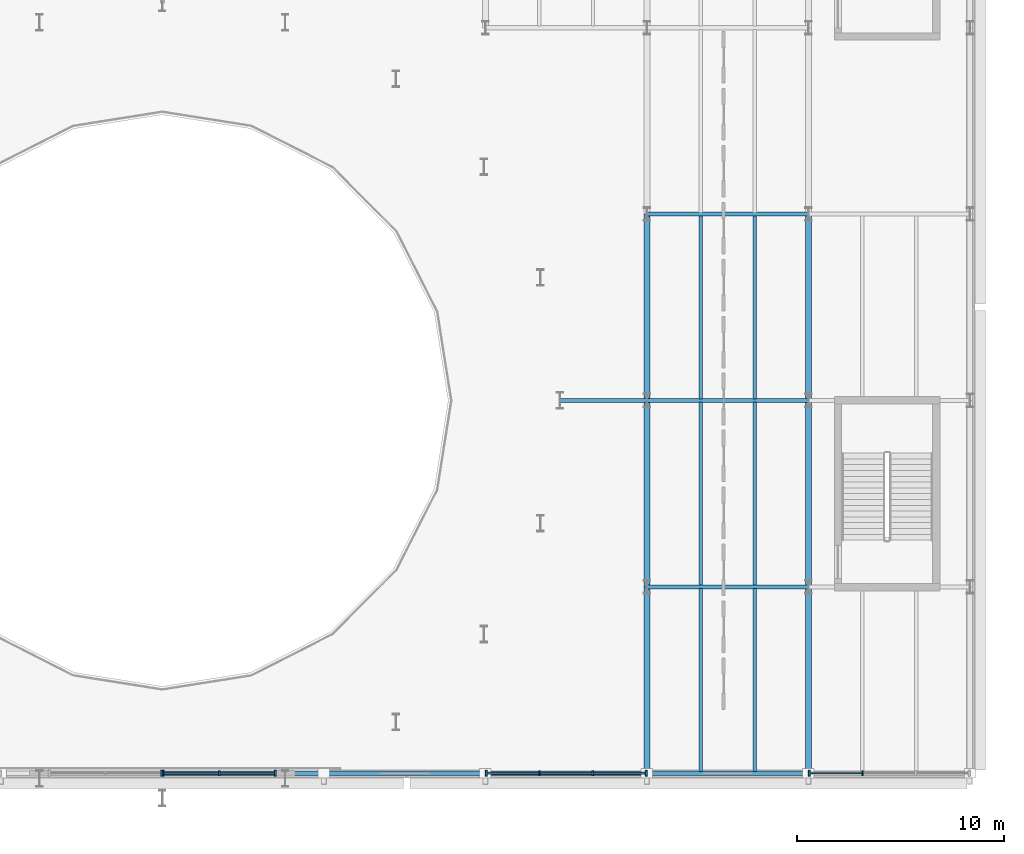
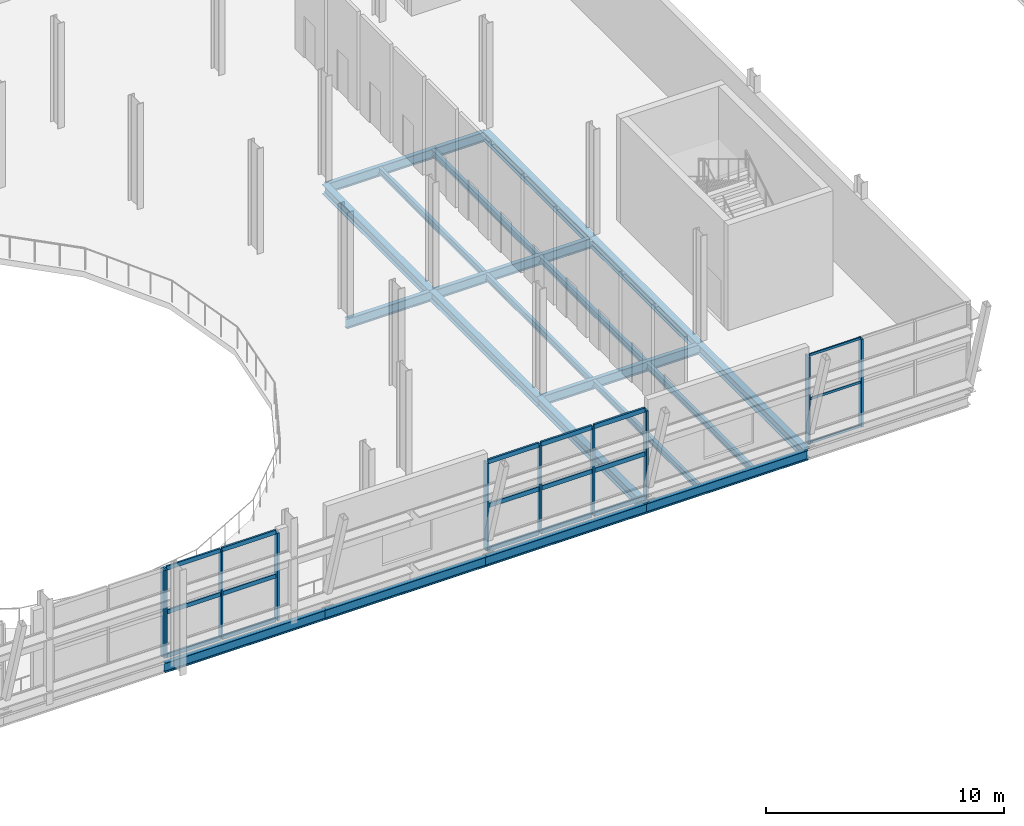
# One storey, part 20 of 78: 28 members, 20 beams, 4 elements without a shape of their own.
"""IFC4 building model written with IfcOpenShell, lengths in metres."""

from ifc_helpers import new_model, si_unit, direction, frame, origin, origin_2d, place, context, subcontext, project, spatial, rectangle, i_section, extrude, material, layer, layer_set, material_profile, profile_set, type_object, element, aggregate, save


model = new_model("IFC4")

# Units and contexts
model_context = context("Model", 3, precision=1e-05, world=origin(), true_north=direction((0.0, 1.0)))
body_context = subcontext(model_context, "Body", "Model", "MODEL_VIEW")
ifc_project = project(units=[si_unit("LENGTHUNIT", "METRE"), si_unit("AREAUNIT", "SQUARE_METRE"), si_unit("VOLUMEUNIT", "CUBIC_METRE"), si_unit("PLANEANGLEUNIT", "RADIAN"), si_unit("MASSUNIT", "GRAM", prefix="KILO")], contexts=[model_context])

# Site, building, storey
site_placement = place(None, origin())
site = spatial("IfcSite", under=ifc_project, at=site_placement, CompositionType="ELEMENT")
building_placement = place(site_placement, origin())
building = spatial("IfcBuilding", under=site, at=building_placement, Name="Sefraquen Railside Congress Hotel", CompositionType="ELEMENT")
storey_placement = place(building_placement, frame((0.0, 0.0, 6.0)))
storey = spatial("IfcBuildingStorey", under=building, at=storey_placement, Name="L01", CompositionType="ELEMENT", Elevation=6.0)

# Beams
ifc_material_1 = material(Name="Steel S355JR", Category="steel")
ifc_material_profile_1 = material_profile(ifc_material_1, i_section(OverallWidth=0.199951171875, OverallDepth=0.5, WebThickness=0.01025390625, FlangeThickness=0.01611328125, FilletRadius=0.02099609375, at=origin_2d()), Name="IPE 500")
ifc_profile_set_1 = profile_set([ifc_material_profile_1], Name="Steel S355JR")
beam_type_1 = type_object("IfcBeamType", Name="TB-BM-500", PredefinedType="BEAM", material=ifc_profile_set_1)
for number, where, z_axis, x_axis, name in (
    (1, (64.199951171875, 9.0, -0.550048828125), (1.0, 0.0, 0.0), (0.0, 1.0, 0.0), "Primary girder BM-L01-0344"),
    (2, (72.0, 9.0, -0.550048828125), (1.0, 0.0, 0.0), (0.0, 1.0, 0.0), "Primary girder BM-L01-0345"),
    (3, (79.800048828125, 9.0, -0.550048828125), (1.0, 0.0, 0.0), (0.0, 1.0, 0.0), "Primary girder BM-L01-0346"),
):
    element("IfcBeam", number, at=place(storey_placement, frame(where, z_axis=z_axis, x_axis=x_axis)), inside=storey, type_object=beam_type_1, Name=name, PredefinedType="BEAM", context=body_context, shape_type="SweptSolid", body=[
        extrude(i_section(OverallWidth=0.199951171875, OverallDepth=0.5, WebThickness=0.01025390625, FlangeThickness=0.01611328125, FilletRadius=0.02099609375, at=origin_2d()), origin(), (0.0, 0.0, 1.0), 7.800048828125),
    ])
for number, where, z_axis, x_axis, name in (
    (4, (87.60009765625, 9.0, -0.550048828125), (1.0, 0.0, 0.0), (0.0, 1.0, 0.0), "Primary girder BM-L01-0347"),
    (5, (87.60009765625, 18.0, -0.550048828125), (1.0, 0.0, 0.0), (0.0, 1.0, 0.0), "Primary girder BM-L01-0357"),
):
    element("IfcBeam", number, at=place(storey_placement, frame(where, z_axis=z_axis, x_axis=x_axis)), inside=storey, type_object=beam_type_1, Name=name, PredefinedType="BEAM", context=body_context, shape_type="SweptSolid", body=[
        extrude(i_section(OverallWidth=0.199951171875, OverallDepth=0.5, WebThickness=0.01025390625, FlangeThickness=0.01611328125, FilletRadius=0.02099609375, at=origin_2d()), origin(), (0.0, 0.0, 1.0), 7.7998046875),
    ])
beam_placement = place(storey_placement, frame((83.39990234375, 27.0, -0.550048828125), z_axis=(1.0, 0.0, 0.0), x_axis=(0.0, 1.0, 0.0)))
element("IfcBeam", 6, at=beam_placement, inside=storey, type_object=beam_type_1, Name="Primary girder BM-L01-0368", PredefinedType="BEAM", context=body_context, shape_type="SweptSolid", body=[
    extrude(i_section(OverallWidth=0.199951171875, OverallDepth=0.5, WebThickness=0.01025390625, FlangeThickness=0.01611328125, FilletRadius=0.02099609375, at=origin_2d()), origin(), (0.0, 0.0, 1.0), 4.2001953125),
])
for number, where, z_axis, x_axis, name in (
    (7, (87.60009765625, 27.0, -0.550048828125), (1.0, 0.0, 0.0), (0.0, 1.0, 0.0), "Primary girder BM-L01-0369"),
    (8, (87.60009765625, 36.0, -0.550048828125), (1.0, 0.0, 0.0), (0.0, 1.0, 0.0), "Primary girder BM-L01-0374"),
):
    element("IfcBeam", number, at=place(storey_placement, frame(where, z_axis=z_axis, x_axis=x_axis)), inside=storey, type_object=beam_type_1, Name=name, PredefinedType="BEAM", context=body_context, shape_type="SweptSolid", body=[
        extrude(i_section(OverallWidth=0.199951171875, OverallDepth=0.5, WebThickness=0.01025390625, FlangeThickness=0.01611328125, FilletRadius=0.02099609375, at=origin_2d()), origin(), (0.0, 0.0, 1.0), 7.7998046875),
    ])
ifc_material_profile_2 = material_profile(ifc_material_1, i_section(OverallWidth=0.300048828125, OverallDepth=0.489990234375, WebThickness=0.011962890625, FlangeThickness=0.02294921875, FilletRadius=0.027099609375, at=origin_2d()), Name="HEA 500")
ifc_profile_set_2 = profile_set([ifc_material_profile_2], Name="Steel S355JR")
beam_type_2 = type_object("IfcBeamType", Name="TB-GIR-500", PredefinedType="T_BEAM", material=ifc_profile_set_2)
for number, where, z_axis, x_axis, name in (
    (9, (87.60009765625, 9.0, -0.544921875), (0.0, 1.0, 0.0), (-1.0, 0.0, 0.0), "Floor beam BM-L01-0586"),
    (10, (87.60009765625, 18.0, -0.544921875), (0.0, 1.0, 0.0), (-1.0, 0.0, 0.0), "Floor beam BM-L01-0587"),
    (11, (87.60009765625, 27.0, -0.544921875), (0.0, 1.0, 0.0), (-1.0, 0.0, 0.0), "Floor beam BM-L01-0588"),
    (12, (95.39990234375, 9.0, -0.544921875), (0.0, 1.0, 0.0), (-1.0, 0.0, 0.0), "Floor beam BM-L01-0595"),
    (13, (95.39990234375, 18.0, -0.544921875), (0.0, 1.0, 0.0), (-1.0, 0.0, 0.0), "Floor beam BM-L01-0596"),
    (14, (95.39990234375, 27.0, -0.544921875), (0.0, 1.0, 0.0), (-1.0, 0.0, 0.0), "Floor beam BM-L01-0597"),
):
    element("IfcBeam", number, at=place(storey_placement, frame(where, z_axis=z_axis, x_axis=x_axis)), inside=storey, type_object=beam_type_2, Name=name, PredefinedType="T_BEAM", context=body_context, shape_type="SweptSolid", body=[
        extrude(i_section(OverallWidth=0.300048828125, OverallDepth=0.489990234375, WebThickness=0.011962890625, FlangeThickness=0.02294921875, FilletRadius=0.027099609375, at=origin_2d()), origin(), (0.0, 0.0, 1.0), 9.0),
    ])
ifc_material_profile_3 = material_profile(ifc_material_1, i_section(OverallWidth=0.159912109375, OverallDepth=0.330078125, WebThickness=0.007568359375, FlangeThickness=0.011474609375, FilletRadius=0.01806640625, at=origin_2d()), Name="IPE 330")
ifc_profile_set_3 = profile_set([ifc_material_profile_3], Name="Steel S355JR")
beam_type_3 = type_object("IfcBeamType", Name="TB-JST-330", PredefinedType="JOIST", material=ifc_profile_set_3)
for number, where, z_axis, x_axis, name in (
    (15, (90.199951171875, 9.080078125, -0.465087890625), (0.0, 1.0, 0.0), (-1.0, 0.0, 0.0), "Composite floor joist BM-L01-J0324"),
    (16, (92.800048828125, 9.080078125, -0.465087890625), (0.0, 1.0, 0.0), (-1.0, 0.0, 0.0), "Composite floor joist BM-L01-J0325"),
    (17, (90.199951171875, 18.080078125, -0.465087890625), (0.0, 1.0, 0.0), (-1.0, 0.0, 0.0), "Composite floor joist BM-L01-J0326"),
    (18, (92.800048828125, 18.080078125, -0.465087890625), (0.0, 1.0, 0.0), (-1.0, 0.0, 0.0), "Composite floor joist BM-L01-J0327"),
    (19, (90.199951171875, 27.080078125, -0.465087890625), (0.0, 1.0, 0.0), (-1.0, 0.0, 0.0), "Composite floor joist BM-L01-J0328"),
    (20, (92.800048828125, 27.080078125, -0.465087890625), (0.0, 1.0, 0.0), (-1.0, 0.0, 0.0), "Composite floor joist BM-L01-J0329"),
):
    element("IfcBeam", number, at=place(storey_placement, frame(where, z_axis=z_axis, x_axis=x_axis)), inside=storey, type_object=beam_type_3, Name=name, PredefinedType="JOIST", context=body_context, shape_type="SweptSolid", body=[
        extrude(i_section(OverallWidth=0.159912109375, OverallDepth=0.330078125, WebThickness=0.007568359375, FlangeThickness=0.011474609375, FilletRadius=0.01806640625, at=origin_2d()), origin(), (0.0, 0.0, 1.0), 8.83984375),
    ])

# Curtain wall, member
ifc_material_2 = material(Name="Thermally broken anodised aluminium and low-E double glazing", Category="aluminium")
ifc_layer_1 = layer(ifc_material_2, 0.199951171875)
ifc_layer_set_1 = layer_set([ifc_layer_1], Name="Thermally broken anodised aluminium and low-E double glazing")
curtain_wall_type_1 = type_object("IfcCurtainWallType", Name="TCW-UCW-07", PredefinedType="USERDEFINED", material=ifc_layer_set_1)
curtain_wall_1_placement = place(storey_placement, origin())
curtain_wall_1 = element("IfcCurtainWall", 21, at=curtain_wall_1_placement, inside=storey, type_object=curtain_wall_type_1, Name="Congress leaning south curtain wall L01-6", ObjectType="UNITISED CURTAIN WALL", PredefinedType="USERDEFINED")
ifc_material_3 = material(Name="Thermally broken anodised aluminium 6063-T6", Category="aluminium")
ifc_material_profile_4 = material_profile(ifc_material_3, rectangle(XDim=0.074951171875, YDim=0.219970703125, at=origin_2d()), Name="CWM 75x220")
ifc_profile_set_4 = profile_set([ifc_material_profile_4], Name="Thermally broken anodised aluminium 6063-T6")
member_type_1 = type_object("IfcMemberType", Name="TM-CWM-04", PredefinedType="MULLION", material=ifc_profile_set_4)
member_1_placement = place(storey_placement, frame((66.946533203125, 9.0, 0.0), z_axis=(0.0, 0.0, 1.0), x_axis=(1.0, 0.0, 0.0)))
member_1 = element("IfcMember", 22, at=member_1_placement, type_object=member_type_1, Name="CW-L01-039 mullion 2", PredefinedType="MULLION", context=body_context, shape_type="SweptSolid", body=[
    extrude(rectangle(XDim=0.074951171875, YDim=0.219970703125, at=origin_2d()), origin(), (0.0, 0.0, 1.0), 4.5),
])

# Curtain wall, members
ifc_layer_2 = layer(ifc_material_2, 0.199951171875)
ifc_layer_set_2 = layer_set([ifc_layer_2], Name="Thermally broken anodised aluminium and low-E double glazing")
curtain_wall_type_2 = type_object("IfcCurtainWallType", Name="TCW-UCW-08", PredefinedType="USERDEFINED", material=ifc_layer_set_2)
curtain_wall_2_placement = place(storey_placement, origin())
curtain_wall_2 = element("IfcCurtainWall", 23, at=curtain_wall_2_placement, inside=storey, type_object=curtain_wall_type_2, Name="Congress leaning south curtain wall L01-8", ObjectType="UNITISED CURTAIN WALL", PredefinedType="USERDEFINED")
ifc_material_profile_5 = material_profile(ifc_material_3, rectangle(XDim=0.080078125, YDim=0.239990234375, at=origin_2d()), Name="CWM 80x240")
ifc_profile_set_5 = profile_set([ifc_material_profile_5], Name="Thermally broken anodised aluminium 6063-T6")
member_type_2 = type_object("IfcMemberType", Name="TM-CWM-05", PredefinedType="MULLION", material=ifc_profile_set_5)
member_2_placement = place(storey_placement, frame((82.413330078125, 9.0, 0.0), z_axis=(0.0, 0.0, 1.0), x_axis=(1.0, 0.0, 0.0)))
member_2 = element("IfcMember", 24, at=member_2_placement, type_object=member_type_2, Name="CW-L01-040 mullion 2", PredefinedType="MULLION", context=body_context, shape_type="SweptSolid", body=[
    extrude(rectangle(XDim=0.080078125, YDim=0.239990234375, at=origin_2d()), origin(), (0.0, 0.0, 1.0), 4.5),
])
member_3_placement = place(storey_placement, frame((84.98681640625, 9.0, 0.0), z_axis=(0.0, 0.0, 1.0), x_axis=(1.0, 0.0, 0.0)))
member_3 = element("IfcMember", 25, at=member_3_placement, type_object=member_type_2, Name="CW-L01-040 mullion 3", PredefinedType="MULLION", context=body_context, shape_type="SweptSolid", body=[
    extrude(rectangle(XDim=0.080078125, YDim=0.239990234375, at=origin_2d()), origin(), (0.0, 0.0, 1.0), 4.5),
])

# Curtain wall, member
ifc_layer_3 = layer(ifc_material_2, 0.199951171875)
ifc_layer_set_3 = layer_set([ifc_layer_3], Name="Thermally broken anodised aluminium and low-E double glazing")
curtain_wall_type_3 = type_object("IfcCurtainWallType", Name="TCW-UCW-09", PredefinedType="USERDEFINED", material=ifc_layer_set_3)
curtain_wall_3_placement = place(storey_placement, origin())
curtain_wall_3 = element("IfcCurtainWall", 26, at=curtain_wall_3_placement, inside=storey, type_object=curtain_wall_type_3, Name="Congress leaning south curtain wall L01-10", ObjectType="UNITISED CURTAIN WALL", PredefinedType="USERDEFINED")
ifc_material_profile_6 = material_profile(ifc_material_3, rectangle(XDim=0.0849609375, YDim=0.260009765625, at=origin_2d()), Name="CWM 85x260")
ifc_profile_set_6 = profile_set([ifc_material_profile_6], Name="Thermally broken anodised aluminium 6063-T6")
member_type_3 = type_object("IfcMemberType", Name="TM-CWM-06", PredefinedType="MULLION", material=ifc_profile_set_6)
member_4_placement = place(storey_placement, frame((98.01318359375, 9.0, 0.0), z_axis=(0.0, 0.0, 1.0), x_axis=(1.0, 0.0, 0.0)))
member_4 = element("IfcMember", 27, at=member_4_placement, type_object=member_type_3, Name="CW-L01-041 mullion 2", PredefinedType="MULLION", context=body_context, shape_type="SweptSolid", body=[
    extrude(rectangle(XDim=0.0849609375, YDim=0.260009765625, at=origin_2d()), origin(), (0.0, 0.0, 1.0), 4.5),
])

ifc_layer_4 = layer(ifc_material_2, 0.199951171875)
ifc_layer_set_4 = layer_set([ifc_layer_4], Name="Thermally broken anodised aluminium and low-E double glazing")
curtain_wall_type_4 = type_object("IfcCurtainWallType", Name="TCW-UCW-06", PredefinedType="USERDEFINED", material=ifc_layer_set_4)
curtain_wall_4_placement = place(storey_placement, origin())
curtain_wall_4 = element("IfcCurtainWall", 28, at=curtain_wall_4_placement, inside=storey, type_object=curtain_wall_type_4, Name="Congress leaning south curtain wall L01-5", ObjectType="UNITISED CURTAIN WALL", PredefinedType="USERDEFINED")
ifc_material_profile_7 = material_profile(ifc_material_3, rectangle(XDim=0.094970703125, YDim=0.300048828125, at=origin_2d()), Name="CWM 95x300")
ifc_profile_set_7 = profile_set([ifc_material_profile_7], Name="Thermally broken anodised aluminium 6063-T6")
member_type_4 = type_object("IfcMemberType", Name="TM-CWM-08", PredefinedType="MULLION", material=ifc_profile_set_7)
member_5_placement = place(storey_placement, frame((64.159912109375, 9.0, 0.0), z_axis=(0.0, 0.0, 1.0), x_axis=(1.0, 0.0, 0.0)))
member_5 = element("IfcMember", 29, at=member_5_placement, type_object=member_type_4, Name="CW-L01-038 mullion 3", PredefinedType="MULLION", context=body_context, shape_type="SweptSolid", body=[
    extrude(rectangle(XDim=0.094970703125, YDim=0.300048828125, at=origin_2d()), origin(), (0.0, 0.0, 1.0), 4.5),
])
aggregate(curtain_wall_4, [member_5])

# Member
member_6_placement = place(storey_placement, frame((64.239990234375, 9.0, 0.0), z_axis=(0.0, 0.0, 1.0), x_axis=(1.0, 0.0, 0.0)))
member_6 = element("IfcMember", 30, at=member_6_placement, type_object=member_type_4, Name="CW-L01-039 mullion 1", PredefinedType="MULLION", context=body_context, shape_type="SweptSolid", body=[
    extrude(rectangle(XDim=0.094970703125, YDim=0.300048828125, at=origin_2d()), origin(), (0.0, 0.0, 1.0), 4.5),
])

member_7_placement = place(storey_placement, frame((69.653076171875, 9.0, 0.0), z_axis=(0.0, 0.0, 1.0), x_axis=(1.0, 0.0, 0.0)))
member_7 = element("IfcMember", 31, at=member_7_placement, type_object=member_type_4, Name="CW-L01-039 mullion 3", PredefinedType="MULLION", context=body_context, shape_type="SweptSolid", body=[
    extrude(rectangle(XDim=0.094970703125, YDim=0.300048828125, at=origin_2d()), origin(), (0.0, 0.0, 1.0), 4.5),
])

member_8_placement = place(storey_placement, frame((79.840087890625, 9.0, 0.0), z_axis=(0.0, 0.0, 1.0), x_axis=(1.0, 0.0, 0.0)))
member_8 = element("IfcMember", 32, at=member_8_placement, type_object=member_type_4, Name="CW-L01-040 mullion 1", PredefinedType="MULLION", context=body_context, shape_type="SweptSolid", body=[
    extrude(rectangle(XDim=0.094970703125, YDim=0.300048828125, at=origin_2d()), origin(), (0.0, 0.0, 1.0), 4.5),
])

member_9_placement = place(storey_placement, frame((87.56005859375, 9.0, 0.0), z_axis=(0.0, 0.0, 1.0), x_axis=(1.0, 0.0, 0.0)))
member_9 = element("IfcMember", 33, at=member_9_placement, type_object=member_type_4, Name="CW-L01-040 mullion 4", PredefinedType="MULLION", context=body_context, shape_type="SweptSolid", body=[
    extrude(rectangle(XDim=0.094970703125, YDim=0.300048828125, at=origin_2d()), origin(), (0.0, 0.0, 1.0), 4.5),
])

member_10_placement = place(storey_placement, frame((95.43994140625, 9.0, 0.0), z_axis=(0.0, 0.0, 1.0), x_axis=(1.0, 0.0, 0.0)))
member_10 = element("IfcMember", 34, at=member_10_placement, type_object=member_type_4, Name="CW-L01-041 mullion 1", PredefinedType="MULLION", context=body_context, shape_type="SweptSolid", body=[
    extrude(rectangle(XDim=0.094970703125, YDim=0.300048828125, at=origin_2d()), origin(), (0.0, 0.0, 1.0), 4.5),
])

ifc_material_profile_8 = material_profile(ifc_material_3, rectangle(XDim=0.06005859375, YDim=0.1201171875, at=origin_2d()), Name="CWT 60x120")
ifc_profile_set_8 = profile_set([ifc_material_profile_8], Name="Thermally broken anodised aluminium 6063-T6")
member_type_5 = type_object("IfcMemberType", Name="TM-CWT-01", PredefinedType="USERDEFINED", material=ifc_profile_set_8)
member_11_placement = place(storey_placement, frame((95.485107421875, 9.0, 0.0), z_axis=(1.0, 0.0, 0.0), x_axis=(0.0, 1.0, 0.0)))
member_11 = element("IfcMember", 35, at=member_11_placement, type_object=member_type_5, Name="CW-L01-041 transom 1.1", ObjectType="TRANSOM", PredefinedType="USERDEFINED", context=body_context, shape_type="SweptSolid", body=[
    extrude(rectangle(XDim=0.06005859375, YDim=0.1201171875, at=origin_2d()), origin(), (0.0, 0.0, 1.0), 2.483154296875),
])

member_12_placement = place(storey_placement, frame((95.485107421875, 9.0, 2.25), z_axis=(1.0, 0.0, 0.0), x_axis=(0.0, 1.0, 0.0)))
member_12 = element("IfcMember", 36, at=member_12_placement, type_object=member_type_5, Name="CW-L01-041 transom 2.1", ObjectType="TRANSOM", PredefinedType="USERDEFINED", context=body_context, shape_type="SweptSolid", body=[
    extrude(rectangle(XDim=0.06005859375, YDim=0.1201171875, at=origin_2d()), origin(), (0.0, 0.0, 1.0), 2.483154296875),
])

member_13_placement = place(storey_placement, frame((95.485107421875, 9.0, 4.5), z_axis=(1.0, 0.0, 0.0), x_axis=(0.0, 1.0, 0.0)))
member_13 = element("IfcMember", 37, at=member_13_placement, type_object=member_type_5, Name="CW-L01-041 transom 3.1", ObjectType="TRANSOM", PredefinedType="USERDEFINED", context=body_context, shape_type="SweptSolid", body=[
    extrude(rectangle(XDim=0.06005859375, YDim=0.1201171875, at=origin_2d()), origin(), (0.0, 0.0, 1.0), 2.483154296875),
])

aggregate(curtain_wall_3, [member_10, member_4, member_11, member_12, member_13])

ifc_material_profile_9 = material_profile(ifc_material_3, rectangle(XDim=0.090087890625, YDim=0.2099609375, at=origin_2d()), Name="CWT 90x210")
ifc_profile_set_9 = profile_set([ifc_material_profile_9], Name="Thermally broken anodised aluminium 6063-T6")
member_type_6 = type_object("IfcMemberType", Name="TM-CWT-07", PredefinedType="USERDEFINED", material=ifc_profile_set_9)
member_14_placement = place(storey_placement, frame((64.284912109375, 9.0, 0.0), z_axis=(1.0, 0.0, 0.0), x_axis=(0.0, 1.0, 0.0)))
member_14 = element("IfcMember", 38, at=member_14_placement, type_object=member_type_6, Name="CW-L01-039 transom 1.1", ObjectType="TRANSOM", PredefinedType="USERDEFINED", context=body_context, shape_type="SweptSolid", body=[
    extrude(rectangle(XDim=0.090087890625, YDim=0.2099609375, at=origin_2d()), origin(), (0.0, 0.0, 1.0), 2.61669921875),
])

member_15_placement = place(storey_placement, frame((66.991455078125, 9.0, 0.0), z_axis=(1.0, 0.0, 0.0), x_axis=(0.0, 1.0, 0.0)))
member_15 = element("IfcMember", 39, at=member_15_placement, type_object=member_type_6, Name="CW-L01-039 transom 1.2", ObjectType="TRANSOM", PredefinedType="USERDEFINED", context=body_context, shape_type="SweptSolid", body=[
    extrude(rectangle(XDim=0.090087890625, YDim=0.2099609375, at=origin_2d()), origin(), (0.0, 0.0, 1.0), 2.61669921875),
])

member_16_placement = place(storey_placement, frame((64.284912109375, 9.0, 2.25), z_axis=(1.0, 0.0, 0.0), x_axis=(0.0, 1.0, 0.0)))
member_16 = element("IfcMember", 40, at=member_16_placement, type_object=member_type_6, Name="CW-L01-039 transom 2.1", ObjectType="TRANSOM", PredefinedType="USERDEFINED", context=body_context, shape_type="SweptSolid", body=[
    extrude(rectangle(XDim=0.090087890625, YDim=0.2099609375, at=origin_2d()), origin(), (0.0, 0.0, 1.0), 2.61669921875),
])

member_17_placement = place(storey_placement, frame((66.991455078125, 9.0, 2.25), z_axis=(1.0, 0.0, 0.0), x_axis=(0.0, 1.0, 0.0)))
member_17 = element("IfcMember", 41, at=member_17_placement, type_object=member_type_6, Name="CW-L01-039 transom 2.2", ObjectType="TRANSOM", PredefinedType="USERDEFINED", context=body_context, shape_type="SweptSolid", body=[
    extrude(rectangle(XDim=0.090087890625, YDim=0.2099609375, at=origin_2d()), origin(), (0.0, 0.0, 1.0), 2.61669921875),
])

member_18_placement = place(storey_placement, frame((64.284912109375, 9.0, 4.5), z_axis=(1.0, 0.0, 0.0), x_axis=(0.0, 1.0, 0.0)))
member_18 = element("IfcMember", 42, at=member_18_placement, type_object=member_type_6, Name="CW-L01-039 transom 3.1", ObjectType="TRANSOM", PredefinedType="USERDEFINED", context=body_context, shape_type="SweptSolid", body=[
    extrude(rectangle(XDim=0.090087890625, YDim=0.2099609375, at=origin_2d()), origin(), (0.0, 0.0, 1.0), 2.61669921875),
])

member_19_placement = place(storey_placement, frame((66.991455078125, 9.0, 4.5), z_axis=(1.0, 0.0, 0.0), x_axis=(0.0, 1.0, 0.0)))
member_19 = element("IfcMember", 43, at=member_19_placement, type_object=member_type_6, Name="CW-L01-039 transom 3.2", ObjectType="TRANSOM", PredefinedType="USERDEFINED", context=body_context, shape_type="SweptSolid", body=[
    extrude(rectangle(XDim=0.090087890625, YDim=0.2099609375, at=origin_2d()), origin(), (0.0, 0.0, 1.0), 2.61669921875),
])

aggregate(curtain_wall_1, [member_6, member_1, member_7, member_14, member_15, member_16, member_17, member_18, member_19])

ifc_material_profile_10 = material_profile(ifc_material_3, rectangle(XDim=0.094970703125, YDim=0.22509765625, at=origin_2d()), Name="CWT 95x225")
ifc_profile_set_10 = profile_set([ifc_material_profile_10], Name="Thermally broken anodised aluminium 6063-T6")
member_type_7 = type_object("IfcMemberType", Name="TM-CWT-08", PredefinedType="USERDEFINED", material=ifc_profile_set_10)
member_20_placement = place(storey_placement, frame((79.885009765625, 9.0, 0.0), z_axis=(1.0, 0.0, 0.0), x_axis=(0.0, 1.0, 0.0)))
member_20 = element("IfcMember", 44, at=member_20_placement, type_object=member_type_7, Name="CW-L01-040 transom 1.1", ObjectType="TRANSOM", PredefinedType="USERDEFINED", context=body_context, shape_type="SweptSolid", body=[
    extrude(rectangle(XDim=0.094970703125, YDim=0.22509765625, at=origin_2d()), origin(), (0.0, 0.0, 1.0), 2.4833984375),
])

member_21_placement = place(storey_placement, frame((82.458251953125, 9.0, 0.0), z_axis=(1.0, 0.0, 0.0), x_axis=(0.0, 1.0, 0.0)))
member_21 = element("IfcMember", 45, at=member_21_placement, type_object=member_type_7, Name="CW-L01-040 transom 1.2", ObjectType="TRANSOM", PredefinedType="USERDEFINED", context=body_context, shape_type="SweptSolid", body=[
    extrude(rectangle(XDim=0.094970703125, YDim=0.22509765625, at=origin_2d()), origin(), (0.0, 0.0, 1.0), 2.4833984375),
])

member_22_placement = place(storey_placement, frame((85.03173828125, 9.0, 0.0), z_axis=(1.0, 0.0, 0.0), x_axis=(0.0, 1.0, 0.0)))
member_22 = element("IfcMember", 46, at=member_22_placement, type_object=member_type_7, Name="CW-L01-040 transom 1.3", ObjectType="TRANSOM", PredefinedType="USERDEFINED", context=body_context, shape_type="SweptSolid", body=[
    extrude(rectangle(XDim=0.094970703125, YDim=0.22509765625, at=origin_2d()), origin(), (0.0, 0.0, 1.0), 2.483154296875),
])

member_23_placement = place(storey_placement, frame((79.885009765625, 9.0, 2.25), z_axis=(1.0, 0.0, 0.0), x_axis=(0.0, 1.0, 0.0)))
member_23 = element("IfcMember", 47, at=member_23_placement, type_object=member_type_7, Name="CW-L01-040 transom 2.1", ObjectType="TRANSOM", PredefinedType="USERDEFINED", context=body_context, shape_type="SweptSolid", body=[
    extrude(rectangle(XDim=0.094970703125, YDim=0.22509765625, at=origin_2d()), origin(), (0.0, 0.0, 1.0), 2.4833984375),
])

member_24_placement = place(storey_placement, frame((82.458251953125, 9.0, 2.25), z_axis=(1.0, 0.0, 0.0), x_axis=(0.0, 1.0, 0.0)))
member_24 = element("IfcMember", 48, at=member_24_placement, type_object=member_type_7, Name="CW-L01-040 transom 2.2", ObjectType="TRANSOM", PredefinedType="USERDEFINED", context=body_context, shape_type="SweptSolid", body=[
    extrude(rectangle(XDim=0.094970703125, YDim=0.22509765625, at=origin_2d()), origin(), (0.0, 0.0, 1.0), 2.4833984375),
])

member_25_placement = place(storey_placement, frame((85.03173828125, 9.0, 2.25), z_axis=(1.0, 0.0, 0.0), x_axis=(0.0, 1.0, 0.0)))
member_25 = element("IfcMember", 49, at=member_25_placement, type_object=member_type_7, Name="CW-L01-040 transom 2.3", ObjectType="TRANSOM", PredefinedType="USERDEFINED", context=body_context, shape_type="SweptSolid", body=[
    extrude(rectangle(XDim=0.094970703125, YDim=0.22509765625, at=origin_2d()), origin(), (0.0, 0.0, 1.0), 2.483154296875),
])

member_26_placement = place(storey_placement, frame((79.885009765625, 9.0, 4.5), z_axis=(1.0, 0.0, 0.0), x_axis=(0.0, 1.0, 0.0)))
member_26 = element("IfcMember", 50, at=member_26_placement, type_object=member_type_7, Name="CW-L01-040 transom 3.1", ObjectType="TRANSOM", PredefinedType="USERDEFINED", context=body_context, shape_type="SweptSolid", body=[
    extrude(rectangle(XDim=0.094970703125, YDim=0.22509765625, at=origin_2d()), origin(), (0.0, 0.0, 1.0), 2.4833984375),
])

member_27_placement = place(storey_placement, frame((82.458251953125, 9.0, 4.5), z_axis=(1.0, 0.0, 0.0), x_axis=(0.0, 1.0, 0.0)))
member_27 = element("IfcMember", 51, at=member_27_placement, type_object=member_type_7, Name="CW-L01-040 transom 3.2", ObjectType="TRANSOM", PredefinedType="USERDEFINED", context=body_context, shape_type="SweptSolid", body=[
    extrude(rectangle(XDim=0.094970703125, YDim=0.22509765625, at=origin_2d()), origin(), (0.0, 0.0, 1.0), 2.4833984375),
])

member_28_placement = place(storey_placement, frame((85.03173828125, 9.0, 4.5), z_axis=(1.0, 0.0, 0.0), x_axis=(0.0, 1.0, 0.0)))
member_28 = element("IfcMember", 52, at=member_28_placement, type_object=member_type_7, Name="CW-L01-040 transom 3.3", ObjectType="TRANSOM", PredefinedType="USERDEFINED", context=body_context, shape_type="SweptSolid", body=[
    extrude(rectangle(XDim=0.094970703125, YDim=0.22509765625, at=origin_2d()), origin(), (0.0, 0.0, 1.0), 2.483154296875),
])

aggregate(curtain_wall_2, [member_8, member_2, member_3, member_9, member_20, member_21, member_22, member_23, member_24, member_25, member_26, member_27, member_28])

save(model, "model.ifc")
